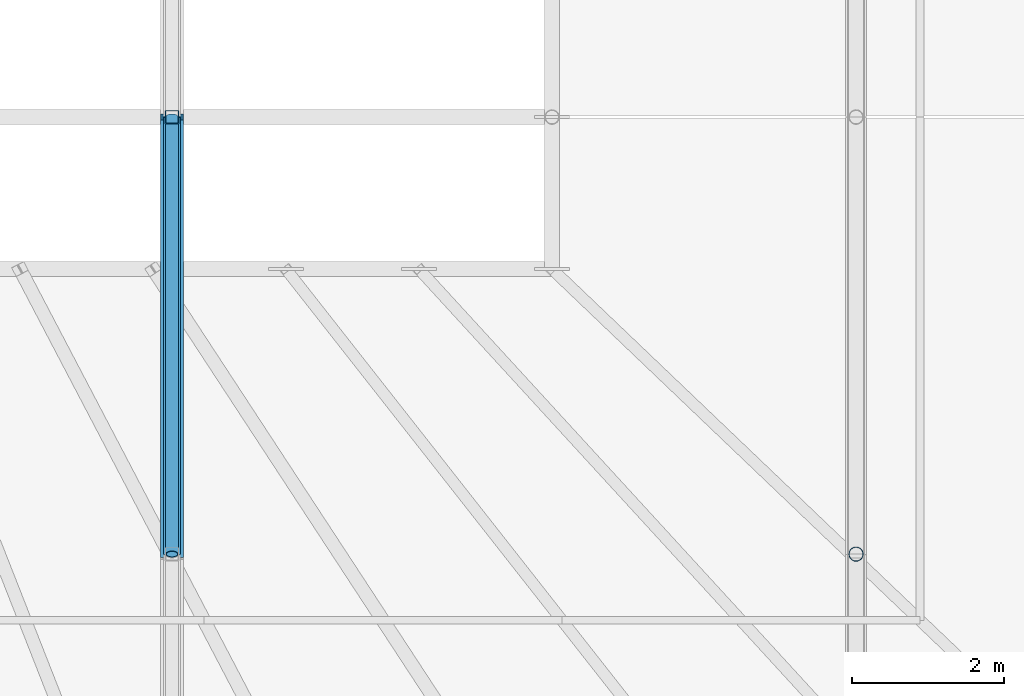
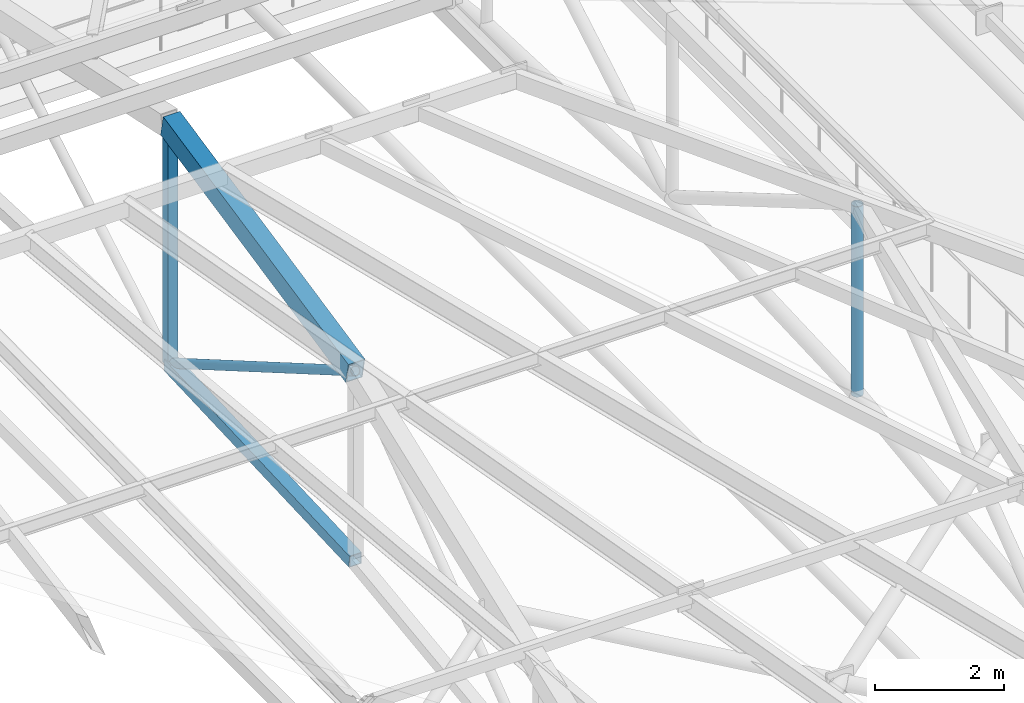
# One storey, part 42 of 168: 4 members, 1 beam.
"""IFC4 building model written with IfcOpenShell, lengths in metres."""

from ifc_helpers import new_model, si_unit, direction, frame, origin, origin_2d, place, context, subcontext, project, spatial, hollow_rectangle, hollow_circle, extrude, material, material_profile, profile_set, type_object, element, save


model = new_model("IFC4")

# Units and contexts
model_context = context("Model", 3, precision=1e-05, world=origin(), true_north=direction((0.0, 1.0)))
body_context = subcontext(model_context, "Body", "Model", "MODEL_VIEW")
ifc_project = project(units=[si_unit("LENGTHUNIT", "METRE"), si_unit("AREAUNIT", "SQUARE_METRE"), si_unit("VOLUMEUNIT", "CUBIC_METRE"), si_unit("PLANEANGLEUNIT", "RADIAN"), si_unit("MASSUNIT", "GRAM", prefix="KILO"), si_unit("THERMODYNAMICTEMPERATUREUNIT", "KELVIN"), si_unit("POWERUNIT", "WATT")], contexts=[model_context])

# Site, building, storey
site_placement = place(None, origin())
site = spatial("IfcSite", under=ifc_project, at=site_placement, CompositionType="ELEMENT")
building_placement = place(site_placement, origin())
building = spatial("IfcBuilding", under=site, at=building_placement, Name="Tepalcoro Natatorium and Aquatics Centre", CompositionType="ELEMENT")
storey_placement = place(building_placement, frame((0.0, 0.0, 10.199951171875)))
storey = spatial("IfcBuildingStorey", under=building, at=storey_placement, Name="L02", CompositionType="ELEMENT", Elevation=10.199951171875)

# Beam
ifc_material = material(Name="Terracotta Painted Hollow Steel ASTM A500 Grade C (Fy 345 MPa)", Category="masonry")
ifc_material_profile_1 = material_profile(ifc_material, hollow_rectangle(XDim=0.300048828125, YDim=0.39990234375, WallThickness=0.01611328125, at=origin_2d()), Name="HSS400X300X16")
ifc_profile_set_1 = profile_set([ifc_material_profile_1], Name="Terracotta Painted Hollow Steel ASTM A500 Grade C (Fy 345 MPa)")
beam_type = type_object("IfcBeamType", Name="AC_HSS400x300x16", PredefinedType="USERDEFINED", material=ifc_profile_set_1)
beam_placement = place(storey_placement, frame((98.0, 30.25, 10.988037109375), z_axis=(0.0, 0.978502151246, 0.206236611701), x_axis=(-1.0, 0.0, 0.0)))
element("IfcBeam", 1, at=beam_placement, inside=storey, type_object=beam_type, Name="V1 Arched Truss Top Chord 6", ObjectType="ARCH CHORD", PredefinedType="USERDEFINED", context=body_context, shape_type="SweptSolid", body=[
    extrude(hollow_rectangle(XDim=0.300048828125, YDim=0.39990234375, WallThickness=0.01611328125, at=origin_2d()), origin(), (0.0, 0.0, 1.0), 5.876220703125),
])

# Members
ifc_material_profile_2 = material_profile(ifc_material, hollow_rectangle(XDim=0.219970703125, YDim=0.219970703125, WallThickness=0.011962890625, at=origin_2d()), Name="HSS220X220X12")
ifc_profile_set_2 = profile_set([ifc_material_profile_2], Name="Terracotta Painted Hollow Steel ASTM A500 Grade C (Fy 345 MPa)")
member_type_1 = type_object("IfcMemberType", Name="MB_CH_HSS220x220x12", PredefinedType="CHORD", material=ifc_profile_set_2)
member_1_placement = place(storey_placement, frame((98.0, 30.25, 7.403076171875), z_axis=(0.0, 0.999078119626, 0.042929137953), x_axis=(-1.0, 0.0, 0.0)))
element("IfcMember", 2, at=member_1_placement, inside=storey, type_object=member_type_1, Name="V1 Arched Truss Bottom Chord 6", PredefinedType="CHORD", context=body_context, shape_type="SweptSolid", body=[
    extrude(hollow_rectangle(XDim=0.219970703125, YDim=0.219970703125, WallThickness=0.011962890625, at=origin_2d()), origin(), (0.0, 0.0, 1.0), 5.75537109375),
])
ifc_material_profile_3 = material_profile(ifc_material, hollow_circle(Radius=0.096923828125, WallThickness=0.010009765625, at=origin_2d()), Name="CHS194X10")
ifc_profile_set_3 = profile_set([ifc_material_profile_3], Name="Terracotta Painted Hollow Steel ASTM A500 Grade C (Fy 345 MPa)")
member_type_2 = type_object("IfcMemberType", Name="MB_PS_CHS194x10", PredefinedType="POST", material=ifc_profile_set_3)
member_2_placement = place(storey_placement, frame((107.0, 30.25, 7.403076171875), z_axis=(0.0, 0.0, 1.0), x_axis=(1.0, 0.0, 0.0)))
element("IfcMember", 3, at=member_2_placement, inside=storey, type_object=member_type_2, Name="V1 Arched Truss Vertical Post 7", PredefinedType="POST", context=body_context, shape_type="SweptSolid", body=[
    extrude(hollow_circle(Radius=0.096923828125, WallThickness=0.010009765625, at=origin_2d()), origin(), (0.0, 0.0, 1.0), 3.60888671875),
])
ifc_material_profile_4 = material_profile(ifc_material, hollow_rectangle(XDim=0.179931640625, YDim=0.179931640625, WallThickness=0.010009765625, at=origin_2d()), Name="HSS180X180X10")
ifc_profile_set_4 = profile_set([ifc_material_profile_4], Name="Terracotta Painted Hollow Steel ASTM A500 Grade C (Fy 345 MPa)")
member_type_3 = type_object("IfcMemberType", Name="MB_PS_HSS180x180x10", PredefinedType="POST", material=ifc_profile_set_4)
member_3_placement = place(storey_placement, frame((98.0, 36.0, 7.650146484375), z_axis=(0.0, 0.0, 1.0), x_axis=(1.0, 0.0, 0.0)))
element("IfcMember", 4, at=member_3_placement, inside=storey, type_object=member_type_3, Name="V1 Arched Truss Vertical Post 6", PredefinedType="POST", context=body_context, shape_type="SweptSolid", body=[
    extrude(hollow_rectangle(XDim=0.179931640625, YDim=0.179931640625, WallThickness=0.010009765625, at=origin_2d()), origin(), (0.0, 0.0, 1.0), 4.5498046875),
])
ifc_material_profile_5 = material_profile(ifc_material, hollow_circle(Radius=0.083984375, WallThickness=0.011962890625, at=origin_2d()), Name="CHS168X12")
ifc_profile_set_5 = profile_set([ifc_material_profile_5], Name="Terracotta Painted Hollow Steel ASTM A500 Grade C (Fy 345 MPa)")
member_type_4 = type_object("IfcMemberType", Name="MB_ST_CHS168x12", PredefinedType="STRUT", material=ifc_profile_set_5)
member_4_placement = place(storey_placement, frame((98.0, 30.25, 10.988037109375), z_axis=(0.0, 0.864842436545, -0.50204338453), x_axis=(-1.0, 0.0, 0.0)))
element("IfcMember", 5, at=member_4_placement, inside=storey, type_object=member_type_4, Name="V1 Arched Truss Web Diagonal 6", PredefinedType="STRUT", context=body_context, shape_type="SweptSolid", body=[
    extrude(hollow_circle(Radius=0.083984375, WallThickness=0.011962890625, at=origin_2d()), origin(), (0.0, 0.0, 1.0), 6.648681640625),
])

save(model, "model.ifc")
